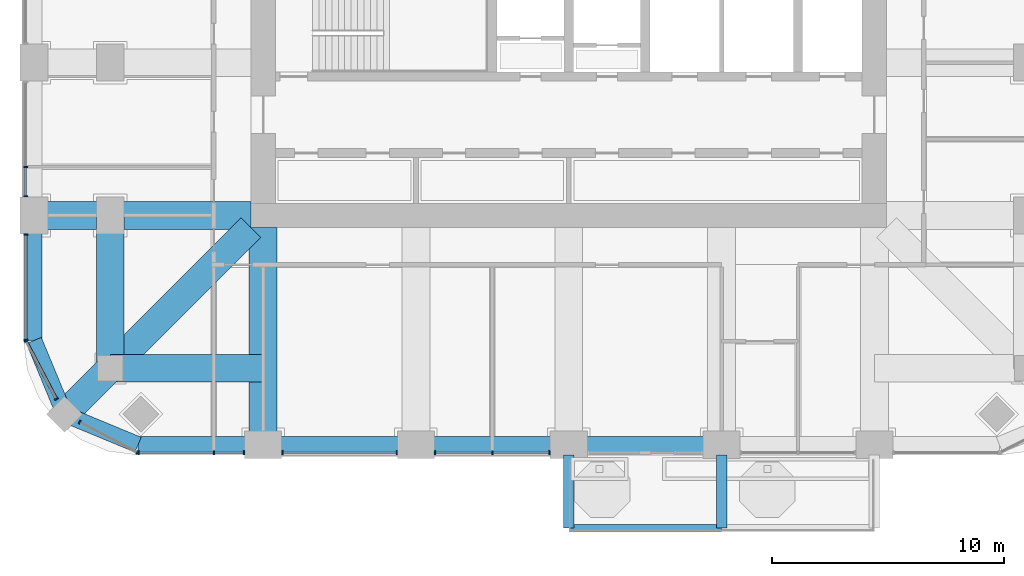
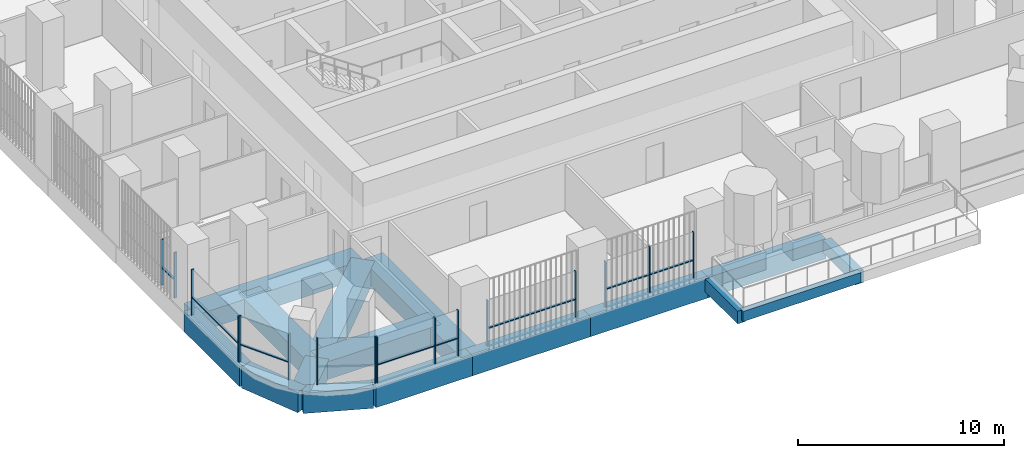
# One storey, part 2 of 20: 24 members, 16 beams, 7 elements without a shape of their own.
"""IFC4 building model written with IfcOpenShell, lengths in metres."""

from ifc_helpers import new_model, si_unit, direction, frame, origin, origin_2d, place, context, subcontext, project, spatial, rectangle, extrude, material, material_profile, profile_set, type_object, element, aggregate, save


model = new_model("IFC4")

# Units and contexts
model_context = context("Model", 3, precision=1e-05, world=origin(), true_north=direction((0.0, 1.0)))
body_context = subcontext(model_context, "Body", "Model", "MODEL_VIEW")
ifc_project = project(units=[si_unit("LENGTHUNIT", "METRE"), si_unit("AREAUNIT", "SQUARE_METRE"), si_unit("VOLUMEUNIT", "CUBIC_METRE"), si_unit("PLANEANGLEUNIT", "RADIAN"), si_unit("MASSUNIT", "GRAM", prefix="KILO")], contexts=[model_context])

# Site, building, storey
site_placement = place(None, origin())
site = spatial("IfcSite", under=ifc_project, at=site_placement, CompositionType="ELEMENT")
building_placement = place(site_placement, origin())
building = spatial("IfcBuilding", under=site, at=building_placement, Name="Cobogo Forest Laboratory Tower", CompositionType="ELEMENT")
storey_placement = place(building_placement, frame((0.0, 0.0, 180.89990234375)))
storey = spatial("IfcBuildingStorey", under=building, at=storey_placement, Name="L41", CompositionType="ELEMENT", Elevation=180.89990234375)

# Beams
ifc_material_1 = material(Name="Concrete HA-40 (C40/50)", Category="concrete")
ifc_material_profile_1 = material_profile(ifc_material_1, rectangle(XDim=0.449951171875, YDim=0.75, at=origin_2d()), Name="RC 450x750")
ifc_profile_set_1 = profile_set([ifc_material_profile_1], Name="Concrete HA-40 (C40/50)")
beam_type_1 = type_object("IfcBeamType", Name="Balcony cantilever beam 450x750", PredefinedType="BEAM", material=ifc_profile_set_1)
for number, where, z_axis, x_axis, name in (
    (1, (26.39990234375, 2.85009765625, -0.625), (0.0, -1.0, 0.0), (1.0, 0.0, 0.0), "CB1 BAL-S1-C1 L41"),
    (2, (33.0, 2.85009765625, -0.625), (0.0, -1.0, 0.0), (1.0, 0.0, 0.0), "CB1 BAL-S1-C2 L41"),
):
    element("IfcBeam", number, at=place(storey_placement, frame(where, z_axis=z_axis, x_axis=x_axis)), inside=storey, type_object=beam_type_1, Name=name, PredefinedType="BEAM", context=body_context, shape_type="SweptSolid", body=[
        extrude(rectangle(XDim=0.449951171875, YDim=0.75, at=origin_2d()), origin(), (0.0, 0.0, 1.0), 3.150146484375),
    ])
ifc_material_profile_2 = material_profile(ifc_material_1, rectangle(XDim=0.300048828125, YDim=0.60009765625, at=origin_2d()), Name="RC 300x600")
ifc_profile_set_2 = profile_set([ifc_material_profile_2], Name="Concrete HA-40 (C40/50)")
beam_type_2 = type_object("IfcBeamType", Name="Balcony edge beam 300x600", PredefinedType="BEAM", material=ifc_profile_set_2)
beam_1_placement = place(storey_placement, frame((26.39990234375, -0.300048828125, -0.5498046875), z_axis=(1.0, 0.0, 0.0), x_axis=(0.0, 1.0, 0.0)))
element("IfcBeam", 3, at=beam_1_placement, inside=storey, type_object=beam_type_2, Name="BB1 BAL-S1-T1 L41", PredefinedType="BEAM", context=body_context, shape_type="SweptSolid", body=[
    extrude(rectangle(XDim=0.300048828125, YDim=0.60009765625, at=origin_2d()), origin(), (0.0, 0.0, 1.0), 6.60009765625),
])
ifc_material_profile_3 = material_profile(ifc_material_1, rectangle(XDim=1.199951171875, YDim=1.050048828125, at=origin_2d()), Name="RC 1200x1050")
ifc_profile_set_3 = profile_set([ifc_material_profile_3], Name="Concrete HA-40 (C40/50)")
beam_type_3 = type_object("IfcBeamType", Name="Laboratory floor wide beam 1200x1050", PredefinedType="BEAM", material=ifc_profile_set_3)
for number, where, z_axis, x_axis, name in (
    (4, (13.199951171875, 12.675048828125, -0.824951171875), (0.0, -1.0, 0.0), (1.0, 0.0, 0.0), "RB1 R-3-S L41"),
    (5, (12.675048828125, 13.199951171875, -0.824951171875), (-1.0, 0.0, 0.0), (0.0, -1.0, 0.0), "RB1 R-C-W L41"),
):
    element("IfcBeam", number, at=place(storey_placement, frame(where, z_axis=z_axis, x_axis=x_axis)), inside=storey, type_object=beam_type_3, Name=name, PredefinedType="BEAM", context=body_context, shape_type="SweptSolid", body=[
        extrude(rectangle(XDim=1.199951171875, YDim=1.050048828125, at=origin_2d()), origin(), (0.0, 0.0, 1.0), 9.375),
    ])
for number, where, z_axis, x_axis, name in (
    (6, (6.60009765625, 6.60009765625, -0.824951171875), (0.0, 1.0, 0.0), (-1.0, 0.0, 0.0), "RB1 G-SW-XC L41"),
    (7, (6.60009765625, 6.60009765625, -0.824951171875), (1.0, 0.0, 0.0), (0.0, 1.0, 0.0), "RB1 G-SW-YC L41"),
):
    element("IfcBeam", number, at=place(storey_placement, frame(where, z_axis=z_axis, x_axis=x_axis)), inside=storey, type_object=beam_type_3, Name=name, PredefinedType="BEAM", context=body_context, shape_type="SweptSolid", body=[
        extrude(rectangle(XDim=1.199951171875, YDim=1.050048828125, at=origin_2d()), origin(), (0.0, 0.0, 1.0), 6.599853515625),
    ])
beam_2_placement = place(storey_placement, frame((4.617919921875, 4.617919921875, -0.824951171875), z_axis=(0.707106781187, 0.707106781187, 0.0), x_axis=(-0.707106781187, 0.707106781187, 0.0)))
element("IfcBeam", 8, at=beam_2_placement, inside=storey, type_object=beam_type_3, Name="RB1 G-SW-D1 L41", PredefinedType="BEAM", context=body_context, shape_type="SweptSolid", body=[
    extrude(rectangle(XDim=1.199951171875, YDim=1.050048828125, at=origin_2d()), origin(), (0.0, 0.0, 1.0), 2.80322265625),
])
beam_3_placement = place(storey_placement, frame((6.60009765625, 6.60009765625, -0.824951171875), z_axis=(0.707106781187, 0.707106781187, 0.0), x_axis=(-0.707106781187, 0.707106781187, 0.0)))
element("IfcBeam", 9, at=beam_3_placement, inside=storey, type_object=beam_type_3, Name="RB1 G-SW-D2 L41", PredefinedType="BEAM", context=body_context, shape_type="SweptSolid", body=[
    extrude(rectangle(XDim=1.199951171875, YDim=1.050048828125, at=origin_2d()), origin(), (0.0, 0.0, 1.0), 8.59130859375),
])

# Curtain wall, members
ifc_material_2 = material(Name="Aluminium curtain wall", Category="aluminium")
curtain_wall_type = type_object("IfcCurtainWallType", Name="CW-2 unitised curtain wall, solar control glazing, laboratory floors zones C and D", PredefinedType="USERDEFINED", material=ifc_material_2)
curtain_wall_1_placement = place(storey_placement, origin())
curtain_wall_1 = element("IfcCurtainWall", 10, at=curtain_wall_1_placement, inside=storey, type_object=curtain_wall_type, Name="Curtain wall 01 L41", ObjectType="UNITISED CURTAIN WALL", PredefinedType="USERDEFINED")
ifc_material_3 = material(Name="Aluminium mullion", Category="aluminium")
ifc_material_profile_4 = material_profile(ifc_material_3, rectangle(XDim=0.06005859375, YDim=0.159912109375, at=origin_2d()), Name="AL 60x160")
ifc_profile_set_4 = profile_set([ifc_material_profile_4], Name="Aluminium mullion")
member_type_1 = type_object("IfcMemberType", Name="MU-1 aluminium mullion 60x160", PredefinedType="MULLION", material=ifc_profile_set_4)
member_1_placement = place(storey_placement, frame((7.830078125, 2.949951171875, 0.0), z_axis=(0.0, 0.0, 1.0), x_axis=(1.0, 0.0, 0.0)))
member_1 = element("IfcMember", 11, at=member_1_placement, type_object=member_type_1, Name="CW-2 mullion 1", PredefinedType="MULLION", context=body_context, shape_type="SweptSolid", body=[
    extrude(rectangle(XDim=0.06005859375, YDim=0.159912109375, at=origin_2d()), origin(), (0.0, 0.0, 1.0), 2.7001953125),
])
member_2_placement = place(storey_placement, frame((11.074951171875, 2.949951171875, 0.0), z_axis=(0.0, 0.0, 1.0), x_axis=(1.0, 0.0, 0.0)))
member_2 = element("IfcMember", 12, at=member_2_placement, type_object=member_type_1, Name="CW-2 mullion 2", PredefinedType="MULLION", context=body_context, shape_type="SweptSolid", body=[
    extrude(rectangle(XDim=0.06005859375, YDim=0.159912109375, at=origin_2d()), origin(), (0.0, 0.0, 1.0), 2.7001953125),
])
member_3_placement = place(storey_placement, frame((12.3701171875, 2.949951171875, 0.0), z_axis=(0.0, 0.0, 1.0), x_axis=(1.0, 0.0, 0.0)))
member_3 = element("IfcMember", 13, at=member_3_placement, type_object=member_type_1, Name="CW-2 mullion 3", PredefinedType="MULLION", context=body_context, shape_type="SweptSolid", body=[
    extrude(rectangle(XDim=0.06005859375, YDim=0.159912109375, at=origin_2d()), origin(), (0.0, 0.0, 1.0), 2.7001953125),
])

curtain_wall_2_placement = place(storey_placement, origin())
curtain_wall_2 = element("IfcCurtainWall", 14, at=curtain_wall_2_placement, inside=storey, type_object=curtain_wall_type, Name="Curtain wall 02 L41", ObjectType="UNITISED CURTAIN WALL", PredefinedType="USERDEFINED")
member_4_placement = place(storey_placement, frame((14.030029296875, 2.949951171875, 0.0), z_axis=(0.0, 0.0, 1.0), x_axis=(1.0, 0.0, 0.0)))
member_4 = element("IfcMember", 15, at=member_4_placement, type_object=member_type_1, Name="CW-2 mullion 1", PredefinedType="MULLION", context=body_context, shape_type="SweptSolid", body=[
    extrude(rectangle(XDim=0.06005859375, YDim=0.159912109375, at=origin_2d()), origin(), (0.0, 0.0, 1.0), 2.7001953125),
])
member_5_placement = place(storey_placement, frame((18.969970703125, 2.949951171875, 0.0), z_axis=(0.0, 0.0, 1.0), x_axis=(1.0, 0.0, 0.0)))
member_5 = element("IfcMember", 16, at=member_5_placement, type_object=member_type_1, Name="CW-2 mullion 2", PredefinedType="MULLION", context=body_context, shape_type="SweptSolid", body=[
    extrude(rectangle(XDim=0.06005859375, YDim=0.159912109375, at=origin_2d()), origin(), (0.0, 0.0, 1.0), 2.7001953125),
])

curtain_wall_3_placement = place(storey_placement, origin())
curtain_wall_3 = element("IfcCurtainWall", 17, at=curtain_wall_3_placement, inside=storey, type_object=curtain_wall_type, Name="Curtain wall 03 L41", ObjectType="UNITISED CURTAIN WALL", PredefinedType="USERDEFINED")
member_6_placement = place(storey_placement, frame((20.6298828125, 2.949951171875, 0.0), z_axis=(0.0, 0.0, 1.0), x_axis=(1.0, 0.0, 0.0)))
member_6 = element("IfcMember", 18, at=member_6_placement, type_object=member_type_1, Name="CW-2 mullion 1", PredefinedType="MULLION", context=body_context, shape_type="SweptSolid", body=[
    extrude(rectangle(XDim=0.06005859375, YDim=0.159912109375, at=origin_2d()), origin(), (0.0, 0.0, 1.0), 2.7001953125),
])
member_7_placement = place(storey_placement, frame((23.10009765625, 2.949951171875, 0.0), z_axis=(0.0, 0.0, 1.0), x_axis=(1.0, 0.0, 0.0)))
member_7 = element("IfcMember", 19, at=member_7_placement, type_object=member_type_1, Name="CW-2 mullion 2", PredefinedType="MULLION", context=body_context, shape_type="SweptSolid", body=[
    extrude(rectangle(XDim=0.06005859375, YDim=0.159912109375, at=origin_2d()), origin(), (0.0, 0.0, 1.0), 2.7001953125),
])
member_8_placement = place(storey_placement, frame((25.570068359375, 2.949951171875, 0.0), z_axis=(0.0, 0.0, 1.0), x_axis=(1.0, 0.0, 0.0)))
member_8 = element("IfcMember", 20, at=member_8_placement, type_object=member_type_1, Name="CW-2 mullion 3", PredefinedType="MULLION", context=body_context, shape_type="SweptSolid", body=[
    extrude(rectangle(XDim=0.06005859375, YDim=0.159912109375, at=origin_2d()), origin(), (0.0, 0.0, 1.0), 2.7001953125),
])

curtain_wall_4_placement = place(storey_placement, origin())
curtain_wall_4 = element("IfcCurtainWall", 21, at=curtain_wall_4_placement, inside=storey, type_object=curtain_wall_type, Name="Curtain wall 27 L41", ObjectType="UNITISED CURTAIN WALL", PredefinedType="USERDEFINED")
member_9_placement = place(storey_placement, frame((2.949951171875, 15.300048828125, 0.0), z_axis=(0.0, 0.0, 1.0), x_axis=(0.0, -1.0, 0.0)))
member_9 = element("IfcMember", 22, at=member_9_placement, type_object=member_type_1, Name="CW-2 mullion 2", PredefinedType="MULLION", context=body_context, shape_type="SweptSolid", body=[
    extrude(rectangle(XDim=0.06005859375, YDim=0.159912109375, at=origin_2d()), origin(), (0.0, 0.0, 1.0), 2.7001953125),
])
member_10_placement = place(storey_placement, frame((2.949951171875, 14.030029296875, 0.0), z_axis=(0.0, 0.0, 1.0), x_axis=(0.0, -1.0, 0.0)))
member_10 = element("IfcMember", 23, at=member_10_placement, type_object=member_type_1, Name="CW-2 mullion 3", PredefinedType="MULLION", context=body_context, shape_type="SweptSolid", body=[
    extrude(rectangle(XDim=0.06005859375, YDim=0.159912109375, at=origin_2d()), origin(), (0.0, 0.0, 1.0), 2.7001953125),
])

curtain_wall_5_placement = place(storey_placement, origin())
curtain_wall_5 = element("IfcCurtainWall", 24, at=curtain_wall_5_placement, inside=storey, type_object=curtain_wall_type, Name="Curtain wall 28 L41", ObjectType="UNITISED CURTAIN WALL", PredefinedType="USERDEFINED")
member_11_placement = place(storey_placement, frame((2.949951171875, 12.3701171875, 0.0), z_axis=(0.0, 0.0, 1.0), x_axis=(0.0, -1.0, 0.0)))
member_11 = element("IfcMember", 25, at=member_11_placement, type_object=member_type_1, Name="CW-2 mullion 1", PredefinedType="MULLION", context=body_context, shape_type="SweptSolid", body=[
    extrude(rectangle(XDim=0.06005859375, YDim=0.159912109375, at=origin_2d()), origin(), (0.0, 0.0, 1.0), 2.7001953125),
])
member_12_placement = place(storey_placement, frame((2.949951171875, 7.830078125, 0.0), z_axis=(0.0, 0.0, 1.0), x_axis=(0.0, -1.0, 0.0)))
member_12 = element("IfcMember", 26, at=member_12_placement, type_object=member_type_1, Name="CW-2 mullion 2", PredefinedType="MULLION", context=body_context, shape_type="SweptSolid", body=[
    extrude(rectangle(XDim=0.06005859375, YDim=0.159912109375, at=origin_2d()), origin(), (0.0, 0.0, 1.0), 2.7001953125),
])

curtain_wall_6_placement = place(storey_placement, origin())
curtain_wall_6 = element("IfcCurtainWall", 27, at=curtain_wall_6_placement, inside=storey, type_object=curtain_wall_type, Name="Curtain wall 29 L41", ObjectType="UNITISED CURTAIN WALL", PredefinedType="USERDEFINED")
member_13_placement = place(storey_placement, frame((2.9638671875, 7.7734375, 0.0), z_axis=(0.0, 0.0, 1.0), x_axis=(0.464283804832, -0.885686484356, 0.0)))
member_13 = element("IfcMember", 28, at=member_13_placement, type_object=member_type_1, Name="CW-2 mullion 1", PredefinedType="MULLION", context=body_context, shape_type="SweptSolid", body=[
    extrude(rectangle(XDim=0.06005859375, YDim=0.159912109375, at=origin_2d()), origin(), (0.0, 0.0, 1.0), 2.7001953125),
])
member_14_placement = place(storey_placement, frame((4.2734375, 5.275634765625, 0.0), z_axis=(0.0, 0.0, 1.0), x_axis=(0.464283804832, -0.885686484356, 0.0)))
member_14 = element("IfcMember", 29, at=member_14_placement, type_object=member_type_1, Name="CW-2 mullion 2", PredefinedType="MULLION", context=body_context, shape_type="SweptSolid", body=[
    extrude(rectangle(XDim=0.06005859375, YDim=0.159912109375, at=origin_2d()), origin(), (0.0, 0.0, 1.0), 2.7001953125),
])

curtain_wall_7_placement = place(storey_placement, origin())
curtain_wall_7 = element("IfcCurtainWall", 30, at=curtain_wall_7_placement, inside=storey, type_object=curtain_wall_type, Name="Curtain wall 30 L41", ObjectType="UNITISED CURTAIN WALL", PredefinedType="USERDEFINED")
member_15_placement = place(storey_placement, frame((5.275634765625, 4.2734375, 0.0), z_axis=(0.0, 0.0, 1.0), x_axis=(0.885686484356, -0.464283804832, 0.0)))
member_15 = element("IfcMember", 31, at=member_15_placement, type_object=member_type_1, Name="CW-2 mullion 1", PredefinedType="MULLION", context=body_context, shape_type="SweptSolid", body=[
    extrude(rectangle(XDim=0.06005859375, YDim=0.159912109375, at=origin_2d()), origin(), (0.0, 0.0, 1.0), 2.7001953125),
])
member_16_placement = place(storey_placement, frame((7.7734375, 2.9638671875, 0.0), z_axis=(0.0, 0.0, 1.0), x_axis=(0.885686484356, -0.464283804832, 0.0)))
member_16 = element("IfcMember", 32, at=member_16_placement, type_object=member_type_1, Name="CW-2 mullion 2", PredefinedType="MULLION", context=body_context, shape_type="SweptSolid", body=[
    extrude(rectangle(XDim=0.06005859375, YDim=0.159912109375, at=origin_2d()), origin(), (0.0, 0.0, 1.0), 2.7001953125),
])
aggregate(curtain_wall_7, [member_15, member_16])

# Beams
ifc_material_profile_5 = material_profile(ifc_material_1, rectangle(XDim=0.699951171875, YDim=1.199951171875, at=origin_2d()), Name="RC 700x1200")
ifc_profile_set_5 = profile_set([ifc_material_profile_5], Name="Concrete HA-40 (C40/50)")
beam_type_4 = type_object("IfcBeamType", Name="Perimeter edge beam 700x1200", PredefinedType="BEAM", material=ifc_profile_set_5)
beam_4_placement = place(storey_placement, frame((13.199951171875, 3.300048828125, -0.89990234375), z_axis=(1.0, 0.0, 0.0), x_axis=(0.0, 1.0, 0.0)))
element("IfcBeam", 33, at=beam_4_placement, inside=storey, type_object=beam_type_4, Name="EB1 E-S1 L41", PredefinedType="BEAM", context=body_context, shape_type="SweptSolid", body=[
    extrude(rectangle(XDim=0.699951171875, YDim=1.199951171875, at=origin_2d()), origin(), (0.0, 0.0, 1.0), 6.60009765625),
])
beam_5_placement = place(storey_placement, frame((19.800048828125, 3.300048828125, -0.89990234375), z_axis=(1.0, 0.0, 0.0), x_axis=(0.0, 1.0, 0.0)))
element("IfcBeam", 34, at=beam_5_placement, inside=storey, type_object=beam_type_4, Name="EB1 E-S2 L41", PredefinedType="BEAM", context=body_context, shape_type="SweptSolid", body=[
    extrude(rectangle(XDim=0.699951171875, YDim=1.199951171875, at=origin_2d()), origin(), (0.0, 0.0, 1.0), 6.599853515625),
])
beam_6_placement = place(storey_placement, frame((26.39990234375, 3.300048828125, -0.89990234375), z_axis=(1.0, 0.0, 0.0), x_axis=(0.0, 1.0, 0.0)))
element("IfcBeam", 35, at=beam_6_placement, inside=storey, type_object=beam_type_4, Name="EB1 E-S3 L41", PredefinedType="BEAM", context=body_context, shape_type="SweptSolid", body=[
    extrude(rectangle(XDim=0.699951171875, YDim=1.199951171875, at=origin_2d()), origin(), (0.0, 0.0, 1.0), 6.60009765625),
])
beam_7_placement = place(storey_placement, frame((13.199951171875, 3.300048828125, -0.89990234375), z_axis=(-1.0, 0.0, 0.0), x_axis=(0.0, -1.0, 0.0)))
element("IfcBeam", 36, at=beam_7_placement, inside=storey, type_object=beam_type_4, Name="EB1 E-SWS1 L41", PredefinedType="BEAM", context=body_context, shape_type="SweptSolid", body=[
    extrude(rectangle(XDim=0.699951171875, YDim=1.199951171875, at=origin_2d()), origin(), (0.0, 0.0, 1.0), 5.39990234375),
])
beam_8_placement = place(storey_placement, frame((7.800048828125, 3.300048828125, -0.89990234375), z_axis=(-0.923901072997, 0.382631424892, 0.0), x_axis=(-0.382631424892, -0.923901072997, 0.0)))
element("IfcBeam", 37, at=beam_8_placement, inside=storey, type_object=beam_type_4, Name="EB1 E-SWS2 L41", PredefinedType="BEAM", context=body_context, shape_type="SweptSolid", body=[
    extrude(rectangle(XDim=0.699951171875, YDim=1.199951171875, at=origin_2d()), origin(), (0.0, 0.0, 1.0), 3.4443359375),
])
beam_9_placement = place(storey_placement, frame((3.300048828125, 13.199951171875, -0.89990234375), z_axis=(0.0, -1.0, 0.0), x_axis=(1.0, 0.0, 0.0)))
element("IfcBeam", 38, at=beam_9_placement, inside=storey, type_object=beam_type_4, Name="EB1 E-SWW1 L41", PredefinedType="BEAM", context=body_context, shape_type="SweptSolid", body=[
    extrude(rectangle(XDim=0.699951171875, YDim=1.199951171875, at=origin_2d()), origin(), (0.0, 0.0, 1.0), 5.39990234375),
])
beam_10_placement = place(storey_placement, frame((3.300048828125, 7.800048828125, -0.89990234375), z_axis=(0.382631424892, -0.923901072997, 0.0), x_axis=(0.923901072997, 0.382631424892, 0.0)))
element("IfcBeam", 39, at=beam_10_placement, inside=storey, type_object=beam_type_4, Name="EB1 E-SWW2 L41", PredefinedType="BEAM", context=body_context, shape_type="SweptSolid", body=[
    extrude(rectangle(XDim=0.699951171875, YDim=1.199951171875, at=origin_2d()), origin(), (0.0, 0.0, 1.0), 3.4443359375),
])

# Member
ifc_material_4 = material(Name="Aluminium transom", Category="aluminium")
ifc_material_profile_6 = material_profile(ifc_material_4, rectangle(XDim=0.1201171875, YDim=0.06005859375, at=origin_2d()), Name="AL 60x120")
ifc_profile_set_6 = profile_set([ifc_material_profile_6], Name="Aluminium transom")
member_type_2 = type_object("IfcMemberType", Name="TR-1 aluminium transom 60x120", PredefinedType="USERDEFINED", material=ifc_profile_set_6)
member_17_placement = place(storey_placement, frame((7.860107421875, 2.949951171875, 1.050048828125), z_axis=(1.0, 0.0, 0.0), x_axis=(0.0, 1.0, 0.0)))
member_17 = element("IfcMember", 40, at=member_17_placement, type_object=member_type_2, Name="CW-2 transom 1.1", ObjectType="TRANSOM", PredefinedType="USERDEFINED", context=body_context, shape_type="SweptSolid", body=[
    extrude(rectangle(XDim=0.1201171875, YDim=0.06005859375, at=origin_2d()), origin(), (0.0, 0.0, 1.0), 3.184814453125),
])

member_18_placement = place(storey_placement, frame((11.10498046875, 2.949951171875, 1.050048828125), z_axis=(1.0, 0.0, 0.0), x_axis=(0.0, 1.0, 0.0)))
member_18 = element("IfcMember", 41, at=member_18_placement, type_object=member_type_2, Name="CW-2 transom 2.1", ObjectType="TRANSOM", PredefinedType="USERDEFINED", context=body_context, shape_type="SweptSolid", body=[
    extrude(rectangle(XDim=0.1201171875, YDim=0.06005859375, at=origin_2d()), origin(), (0.0, 0.0, 1.0), 1.235107421875),
])

aggregate(curtain_wall_1, [member_1, member_2, member_3, member_17, member_18])

member_19_placement = place(storey_placement, frame((14.06005859375, 2.949951171875, 1.050048828125), z_axis=(1.0, 0.0, 0.0), x_axis=(0.0, 1.0, 0.0)))
member_19 = element("IfcMember", 42, at=member_19_placement, type_object=member_type_2, Name="CW-2 transom 1.1", ObjectType="TRANSOM", PredefinedType="USERDEFINED", context=body_context, shape_type="SweptSolid", body=[
    extrude(rectangle(XDim=0.1201171875, YDim=0.06005859375, at=origin_2d()), origin(), (0.0, 0.0, 1.0), 4.8798828125),
])

aggregate(curtain_wall_2, [member_4, member_5, member_19])

member_20_placement = place(storey_placement, frame((20.659912109375, 2.949951171875, 1.050048828125), z_axis=(1.0, 0.0, 0.0), x_axis=(0.0, 1.0, 0.0)))
member_20 = element("IfcMember", 43, at=member_20_placement, type_object=member_type_2, Name="CW-2 transom 1.1", ObjectType="TRANSOM", PredefinedType="USERDEFINED", context=body_context, shape_type="SweptSolid", body=[
    extrude(rectangle(XDim=0.1201171875, YDim=0.06005859375, at=origin_2d()), origin(), (0.0, 0.0, 1.0), 2.41015625),
])

member_21_placement = place(storey_placement, frame((23.1298828125, 2.949951171875, 1.050048828125), z_axis=(1.0, 0.0, 0.0), x_axis=(0.0, 1.0, 0.0)))
member_21 = element("IfcMember", 44, at=member_21_placement, type_object=member_type_2, Name="CW-2 transom 2.1", ObjectType="TRANSOM", PredefinedType="USERDEFINED", context=body_context, shape_type="SweptSolid", body=[
    extrude(rectangle(XDim=0.1201171875, YDim=0.06005859375, at=origin_2d()), origin(), (0.0, 0.0, 1.0), 2.41015625),
])

aggregate(curtain_wall_3, [member_6, member_7, member_8, member_20, member_21])

member_22_placement = place(storey_placement, frame((2.949951171875, 15.27001953125, 1.050048828125), z_axis=(0.0, -1.0, 0.0), x_axis=(1.0, 0.0, 0.0)))
member_22 = element("IfcMember", 45, at=member_22_placement, type_object=member_type_2, Name="CW-2 transom 2.1", ObjectType="TRANSOM", PredefinedType="USERDEFINED", context=body_context, shape_type="SweptSolid", body=[
    extrude(rectangle(XDim=0.1201171875, YDim=0.06005859375, at=origin_2d()), origin(), (0.0, 0.0, 1.0), 1.2099609375),
])

aggregate(curtain_wall_4, [member_9, member_10, member_22])

member_23_placement = place(storey_placement, frame((2.949951171875, 12.340087890625, 1.050048828125), z_axis=(0.0, -1.0, 0.0), x_axis=(1.0, 0.0, 0.0)))
member_23 = element("IfcMember", 46, at=member_23_placement, type_object=member_type_2, Name="CW-2 transom 1.1", ObjectType="TRANSOM", PredefinedType="USERDEFINED", context=body_context, shape_type="SweptSolid", body=[
    extrude(rectangle(XDim=0.1201171875, YDim=0.06005859375, at=origin_2d()), origin(), (0.0, 0.0, 1.0), 4.47998046875),
])

aggregate(curtain_wall_5, [member_11, member_12, member_23])

member_24_placement = place(storey_placement, frame((2.977783203125, 7.746826171875, 1.050048828125), z_axis=(0.464324225592, -0.885665294301, 0.0), x_axis=(0.885665294301, 0.464324225592, 0.0)))
member_24 = element("IfcMember", 47, at=member_24_placement, type_object=member_type_2, Name="CW-2 transom 1.1", ObjectType="TRANSOM", PredefinedType="USERDEFINED", context=body_context, shape_type="SweptSolid", body=[
    extrude(rectangle(XDim=0.1201171875, YDim=0.06005859375, at=origin_2d()), origin(), (0.0, 0.0, 1.0), 2.760498046875),
])

aggregate(curtain_wall_6, [member_13, member_14, member_24])

save(model, "model.ifc")
